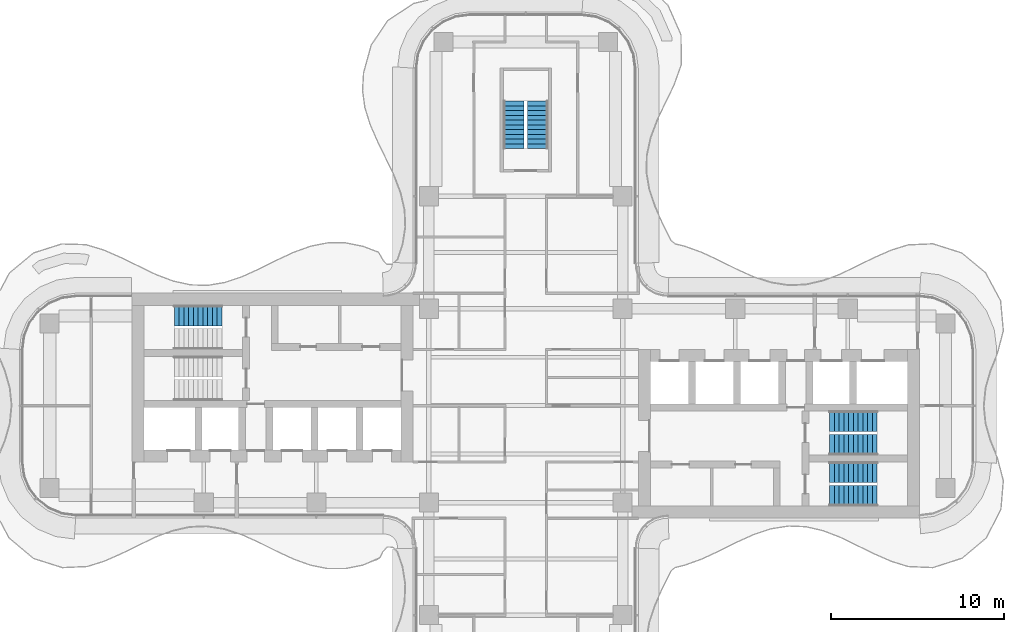
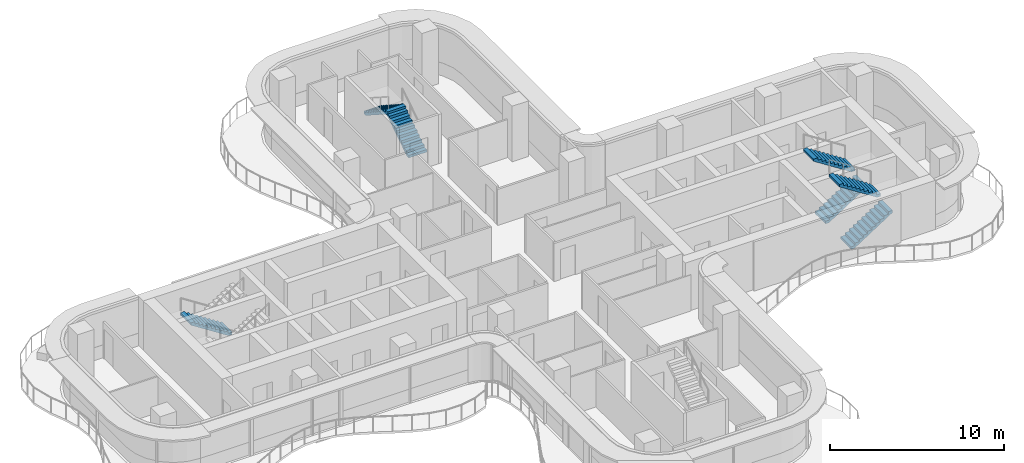
# One storey, part 14 of 16: 7 stair flights, 4 elements without a shape of their own.
"""IFC4 building model written with IfcOpenShell, lengths in metres."""

import ifcopenshell
import ifcopenshell.guid

model = None  # the IFC model being written
_history = None  # IfcOwnerHistory: only IFC2X3 demands one
_inside = {}  # id of a spatial element -> (the spatial element, [elements in it])
_under = {}  # id of a project, library or spatial element -> (it, [spatial elements below it])
_declared = {}  # id of a project -> (the project, [libraries it declares])
_typed = {}  # id of a type object -> (the type object, [elements of that type])
_made_of = {}  # id of a material, layer set ... -> (it, [elements and type objects made of it])


def new_model(schema):
    """Start an empty IFC model of exactly this schema.

    Asked for "IFC4X3", IfcOpenShell would pick the latest addendum, in which some entities
    have other attributes; the version numbers below select the first issue.
    IFC2X3 requires an IfcOwnerHistory on every rooted entity: one is made here for all.
    """
    global model, _history
    if schema == "IFC4X3":
        model = ifcopenshell.file(schema_version=(4, 3, 0, 0))
    else:
        model = ifcopenshell.file(schema=schema)
    _inside.clear()
    _under.clear()
    _declared.clear()
    _typed.clear()
    _made_of.clear()
    _history = None
    if model.schema == "IFC2X3":
        org = make("IfcOrganization", Name="unknown")
        user = make(
            "IfcPersonAndOrganization",
            ThePerson=make("IfcPerson", FamilyName="unknown"),
            TheOrganization=org,
        )
        app = make(
            "IfcApplication",
            ApplicationDeveloper=org,
            Version="unknown",
            ApplicationFullName="unknown",
            ApplicationIdentifier="unknown",
        )
        _history = make(
            "IfcOwnerHistory",
            OwningUser=user,
            OwningApplication=app,
            ChangeAction="ADDED",
            CreationDate=0,
        )
    return model


def make(cls, **values):
    """One entity of the class cls with the attributes given. An attribute that is None is left unset."""
    return model.create_entity(
        cls, **{name: value for name, value in values.items() if value is not None}
    )


def rooted(cls, **values):
    """An entity with a GlobalId (a new one), such as an element, a storey or a relation."""
    return make(cls, GlobalId=ifcopenshell.guid.new(), OwnerHistory=_history, **values)


def si_unit(unit_type, name, prefix=None):
    """IfcSIUnit, for example si_unit("LENGTHUNIT", "METRE", prefix="MILLI")."""
    return make("IfcSIUnit", UnitType=unit_type, Prefix=prefix, Name=name)


def assignment(units):
    """IfcUnitAssignment: the units of a project."""
    return None if units is None else make("IfcUnitAssignment", Units=units)


def point(xyz):
    """IfcCartesianPoint."""
    return None if xyz is None else make("IfcCartesianPoint", Coordinates=xyz)


def direction(xyz):
    """IfcDirection."""
    return None if xyz is None else make("IfcDirection", DirectionRatios=xyz)


def frame(location, z_axis=None, x_axis=None):
    """IfcAxis2Placement3D, a coordinate frame: its origin and axes. An axis left out is left unset."""
    return make(
        "IfcAxis2Placement3D",
        Location=point(location),
        Axis=direction(z_axis),
        RefDirection=direction(x_axis),
    )


def origin():
    """The frame at (0, 0, 0) with its axes left unset."""
    return frame((0.0, 0.0, 0.0))


def place(relative_to, where):
    """IfcLocalPlacement: puts the frame where relative to a parent placement (None: the world)."""
    return make(
        "IfcLocalPlacement", PlacementRelTo=relative_to, RelativePlacement=where
    )


def context(
    kind, dimensions, precision=None, world=None, true_north=None, identifier=None
):
    """IfcGeometricRepresentationContext, for example the 3D "Model" context."""
    return make(
        "IfcGeometricRepresentationContext",
        ContextIdentifier=identifier,
        ContextType=kind,
        CoordinateSpaceDimension=dimensions,
        Precision=precision,
        WorldCoordinateSystem=world,
        TrueNorth=true_north,
    )


def subcontext(parent, identifier, kind, view, scale=None):
    """IfcGeometricRepresentationSubContext, for example "Body" below "Model"."""
    return make(
        "IfcGeometricRepresentationSubContext",
        ContextIdentifier=identifier,
        ContextType=kind,
        ParentContext=parent,
        TargetScale=scale,
        TargetView=view,
    )


def project(units=None, contexts=None):
    """IfcProject with its units and contexts."""
    return rooted(
        "IfcProject",
        Name="project",
        RepresentationContexts=contexts,
        UnitsInContext=assignment(units),
    )


def spatial(cls, under=None, at=None, **own):
    """A site, building, storey or space (cls), placed at a placement, below another one or the project."""
    s = rooted(cls, ObjectPlacement=at, **own)
    if under is not None:
        _under.setdefault(under.id(), (under, []))[1].append(s)
    return s


def polyline(points):
    """IfcPolyline through the points."""
    return make("IfcPolyline", Points=[point(p) for p in points])


def outline(outer, holes=None, kind="AREA"):
    """IfcArbitraryClosedProfileDef: a profile drawn as a closed curve; with holes, ...WithVoids."""
    if holes is None:
        return make("IfcArbitraryClosedProfileDef", ProfileType=kind, OuterCurve=outer)
    return make(
        "IfcArbitraryProfileDefWithVoids",
        ProfileType=kind,
        OuterCurve=outer,
        InnerCurves=holes,
    )


def extrude(swept, where, along, depth):
    """IfcExtrudedAreaSolid: the profile swept, set in the frame where, extruded along a direction by depth."""
    return make(
        "IfcExtrudedAreaSolid",
        SweptArea=swept,
        Position=where,
        ExtrudedDirection=direction(along),
        Depth=depth,
    )


def shape(context_of_items, identifier, shape_type, items):
    """IfcShapeRepresentation: the items that make up one representation, for example the "Body"."""
    return make(
        "IfcShapeRepresentation",
        ContextOfItems=context_of_items,
        RepresentationIdentifier=identifier,
        RepresentationType=shape_type,
        Items=items,
    )


def source(mapping_origin, context_of_items, identifier, shape_type, items):
    """IfcRepresentationMap: a shape defined once, which mapped items show again and again."""
    return make(
        "IfcRepresentationMap",
        MappingOrigin=mapping_origin,
        MappedRepresentation=shape(context_of_items, identifier, shape_type, items),
    )


def transform(
    local_origin,
    x_axis=None,
    y_axis=None,
    z_axis=None,
    scale=None,
    scale2=None,
    scale3=None,
    uniform=True,
):
    """IfcCartesianTransformationOperator3D, or its non-uniform kind. x_axis, y_axis, z_axis: its Axis1, 2, 3."""
    if uniform:
        return make(
            "IfcCartesianTransformationOperator3D",
            Axis1=direction(x_axis),
            Axis2=direction(y_axis),
            LocalOrigin=point(local_origin),
            Scale=scale,
            Axis3=direction(z_axis),
        )
    return make(
        "IfcCartesianTransformationOperator3DnonUniform",
        Axis1=direction(x_axis),
        Axis2=direction(y_axis),
        LocalOrigin=point(local_origin),
        Scale=scale,
        Axis3=direction(z_axis),
        Scale2=scale2,
        Scale3=scale3,
    )


def mapped(mapping_source, mapping_target):
    """IfcMappedItem: shows the shape of a source again, moved by a transform."""
    return make(
        "IfcMappedItem", MappingSource=mapping_source, MappingTarget=mapping_target
    )


def material(Name=None, Category=None):
    """IfcMaterial."""
    return make("IfcMaterial", Name=Name, Category=Category)


def made_of(thing, what):
    """Note that an element or type object is made of a material, layer set ...; save() writes the relation."""
    if what is not None:
        _made_of.setdefault(what.id(), (what, []))[1].append(thing)
    return thing


def type_object(cls, material=None, **own):
    """A type object (cls), such as IfcWallType, which elements share."""
    return made_of(rooted(cls, **own), material)


def element(
    cls,
    number,
    at=None,
    inside=None,
    cuts=None,
    type_object=None,
    material=None,
    context=None,
    identifier="Body",
    shape_type=None,
    held_by="IfcProductDefinitionShape",
    body=None,
    shapes=None,
    **own,
):
    """One element of the class cls, such as IfcWall. Its Tag is "e" and its number.

    at: its placement. inside: the storey or other place that contains it. cuts: it is an
    opening in that element (IfcRelVoidsElement). A single representation is given by context,
    identifier, shape_type and body (its items); several are given by shapes. held_by: the class
    of the entity that holds the representations. save() writes the other relations.
    """
    e = rooted(cls, Tag="e%d" % number, ObjectPlacement=at, **own)
    if body is not None:
        shapes = [shape(context, identifier, shape_type, body)]
    if shapes is not None:
        e.Representation = make(held_by, Representations=shapes)
    if inside is not None:
        _inside.setdefault(inside.id(), (inside, []))[1].append(e)
    if cuts is not None:
        rooted(
            "IfcRelVoidsElement", RelatingBuildingElement=cuts, RelatedOpeningElement=e
        )
    if type_object is not None:
        _typed.setdefault(type_object.id(), (type_object, []))[1].append(e)
    return made_of(e, material)


def aggregate(whole, parts):
    """IfcRelAggregates: a whole, such as a stair, and the parts it consists of."""
    return rooted("IfcRelAggregates", RelatingObject=whole, RelatedObjects=parts)


def save(model, path):
    """Write the relations noted so far, then the file.

    IfcRelAggregates (storeys below a building ...), IfcRelContainedInSpatialStructure (elements
    in a storey), IfcRelDefinesByType, IfcRelAssociatesMaterial and IfcRelDeclares: one each for
    every whole, place, type object, material and project.
    """
    for whole, parts in _under.values():
        aggregate(whole, parts)
    for where, things in _inside.values():
        rooted(
            "IfcRelContainedInSpatialStructure",
            RelatedElements=things,
            RelatingStructure=where,
        )
    for kind, things in _typed.values():
        rooted("IfcRelDefinesByType", RelatedObjects=things, RelatingType=kind)
    for what, things in _made_of.values():
        rooted("IfcRelAssociatesMaterial", RelatedObjects=things, RelatingMaterial=what)
    for by, libraries in _declared.values():
        rooted("IfcRelDeclares", RelatingContext=by, RelatedDefinitions=libraries)
    model.write(path)


model = new_model("IFC4")

# Units and contexts
model_context = context("Model", 3, precision=1e-05, world=origin(), true_north=direction((0.0, 1.0)))
body_context = subcontext(model_context, "Body", "Model", "MODEL_VIEW")
ifc_project = project(units=[si_unit("LENGTHUNIT", "METRE"), si_unit("AREAUNIT", "SQUARE_METRE"), si_unit("VOLUMEUNIT", "CUBIC_METRE"), si_unit("PLANEANGLEUNIT", "RADIAN"), si_unit("MASSUNIT", "GRAM", prefix="KILO")], contexts=[model_context])

# Site, building, storey
site_placement = place(None, origin())
site = spatial("IfcSite", under=ifc_project, at=site_placement, CompositionType="ELEMENT")
building_placement = place(site_placement, origin())
building = spatial("IfcBuilding", under=site, at=building_placement, Name="Trellis Farm Tower", CompositionType="ELEMENT")
storey_placement = place(building_placement, frame((0.0, 0.0, 267.5)))
storey = spatial("IfcBuildingStorey", under=building, at=storey_placement, Name="L60", CompositionType="ELEMENT", Elevation=267.5)

# Stair, stair flights
ifc_material = material(Name="Concrete C50/60", Category="concrete")
stair_type = type_object("IfcStairType", Name="CORE EXIT STAIR 22 RISERS 177 MM", PredefinedType="HALF_TURN_STAIR", material=ifc_material)
placement = place(storey_placement, origin())
stair_1 = element("IfcStair", 1, at=placement, inside=storey, type_object=stair_type, Name="Exit stair N", PredefinedType="HALF_TURN_STAIR")
stair_flight_type = type_object("IfcStairFlightType", Name="STAIR FLIGHT 11 RISERS 177 MM", PredefinedType="STRAIGHT", material=ifc_material)
shared_shape = source(origin(), body_context, "Body", "SweptSolid", [
    extrude(outline(polyline([(0.0, 0.0), (0.0, 0.17724609375), (0.27490234375, 0.17724609375), (0.27490234375, 0.3544921875), (0.550048828125, 0.3544921875), (0.550048828125, 0.53173828125), (0.824951171875, 0.53173828125), (0.824951171875, 0.708984375), (1.10009765625, 0.708984375), (1.10009765625, 0.886474609375), (1.375, 0.886474609375), (1.375, 1.063720703125), (1.64990234375, 1.063720703125), (1.64990234375, 1.240966796875), (1.925048828125, 1.240966796875), (1.925048828125, 1.418212890625), (2.199951171875, 1.418212890625), (2.199951171875, 1.595458984375), (2.47509765625, 1.595458984375), (2.47509765625, 1.772705078125), (2.75, 1.772705078125), (2.75, 1.949951171875), (2.75, 1.6181640625), (0.23974609375, 0.0), (0.0, 0.0)])), frame((0.0, 0.60009765625, 0.0), z_axis=(0.0, -1.0, 0.0), x_axis=(1.0, 0.0, 0.0)), (0.0, 0.0, 1.0), 1.199951171875),
])
stair_flight_1_placement = place(storey_placement, frame((0.699951171875, 14.85009765625, 0.0), z_axis=(0.0, 0.0, 1.0), x_axis=(0.0, 1.0, 0.0)))
stair_flight_1 = element("IfcStairFlight", 2, at=stair_flight_1_placement, type_object=stair_flight_type, Name="STN flight 1", NumberOfRisers=11, NumberOfTreads=10, PredefinedType="STRAIGHT", RiserHeight=0.177272727, TreadLength=0.275, context=body_context, shape_type="MappedRepresentation", body=[
    mapped(shared_shape, transform((0.0, 0.0, 0.0))),
])
stair_flight_2_placement = place(storey_placement, frame((-0.699951171875, 17.60009765625, 1.949951171875), z_axis=(0.0, 0.0, 1.0), x_axis=(0.0, -1.0, 0.0)))
stair_flight_2 = element("IfcStairFlight", 3, at=stair_flight_2_placement, type_object=stair_flight_type, Name="STN flight 2", NumberOfRisers=11, NumberOfTreads=10, PredefinedType="STRAIGHT", RiserHeight=0.177272727, TreadLength=0.275, context=body_context, shape_type="MappedRepresentation", body=[
    mapped(shared_shape, transform((0.0, 0.0, 0.0))),
])
aggregate(stair_1, [stair_flight_1, stair_flight_2])

stair_2 = element("IfcStair", 4, at=placement, inside=storey, type_object=stair_type, Name="Exit stair E1", PredefinedType="HALF_TURN_STAIR")
stair_flight_3_placement = place(storey_placement, frame((17.550048828125, -5.199951171875, 0.0), z_axis=(0.0, 0.0, 1.0), x_axis=(1.0, 0.0, 0.0)))
stair_flight_3 = element("IfcStairFlight", 5, at=stair_flight_3_placement, type_object=stair_flight_type, Name="STE1 flight 1", NumberOfRisers=11, NumberOfTreads=10, PredefinedType="STRAIGHT", RiserHeight=0.177272727, TreadLength=0.275, context=body_context, shape_type="MappedRepresentation", body=[
    mapped(shared_shape, transform((0.0, 0.0, 0.0))),
])
stair_flight_4_placement = place(storey_placement, frame((20.300048828125, -3.85009765625, 1.949951171875), z_axis=(0.0, 0.0, 1.0), x_axis=(-1.0, 0.0, 0.0)))
stair_flight_4 = element("IfcStairFlight", 6, at=stair_flight_4_placement, type_object=stair_flight_type, Name="STE1 flight 2", NumberOfRisers=11, NumberOfTreads=10, PredefinedType="STRAIGHT", RiserHeight=0.177272727, TreadLength=0.275, context=body_context, shape_type="MappedRepresentation", body=[
    mapped(shared_shape, transform((0.0, 0.0, 0.0))),
])
aggregate(stair_2, [stair_flight_3, stair_flight_4])

stair_3 = element("IfcStair", 7, at=placement, inside=storey, type_object=stair_type, Name="Exit stair E2", PredefinedType="HALF_TURN_STAIR")
stair_flight_5_placement = place(storey_placement, frame((17.550048828125, -2.25, 0.0), z_axis=(0.0, 0.0, 1.0), x_axis=(1.0, 0.0, 0.0)))
stair_flight_5 = element("IfcStairFlight", 8, at=stair_flight_5_placement, type_object=stair_flight_type, Name="STE2 flight 1", NumberOfRisers=11, NumberOfTreads=10, PredefinedType="STRAIGHT", RiserHeight=0.177272727, TreadLength=0.275, context=body_context, shape_type="MappedRepresentation", body=[
    mapped(shared_shape, transform((0.0, 0.0, 0.0))),
])
stair_flight_6_placement = place(storey_placement, frame((20.300048828125, -0.89990234375, 1.949951171875), z_axis=(0.0, 0.0, 1.0), x_axis=(-1.0, 0.0, 0.0)))
stair_flight_6 = element("IfcStairFlight", 9, at=stair_flight_6_placement, type_object=stair_flight_type, Name="STE2 flight 2", NumberOfRisers=11, NumberOfTreads=10, PredefinedType="STRAIGHT", RiserHeight=0.177272727, TreadLength=0.275, context=body_context, shape_type="MappedRepresentation", body=[
    mapped(shared_shape, transform((0.0, 0.0, 0.0))),
])
aggregate(stair_3, [stair_flight_5, stair_flight_6])

# Stair, stair flight
stair_4 = element("IfcStair", 10, at=placement, inside=storey, type_object=stair_type, Name="Exit stair W1", PredefinedType="HALF_TURN_STAIR")
stair_flight_7_placement = place(storey_placement, frame((-17.550048828125, 5.199951171875, 0.0), z_axis=(0.0, 0.0, 1.0), x_axis=(-1.0, 0.0, 0.0)))
stair_flight_7 = element("IfcStairFlight", 11, at=stair_flight_7_placement, type_object=stair_flight_type, Name="STW1 flight 1", NumberOfRisers=11, NumberOfTreads=10, PredefinedType="STRAIGHT", RiserHeight=0.177272727, TreadLength=0.275, context=body_context, shape_type="MappedRepresentation", body=[
    mapped(shared_shape, transform((0.0, 0.0, 0.0))),
])
aggregate(stair_4, [stair_flight_7])

save(model, "model.ifc")
